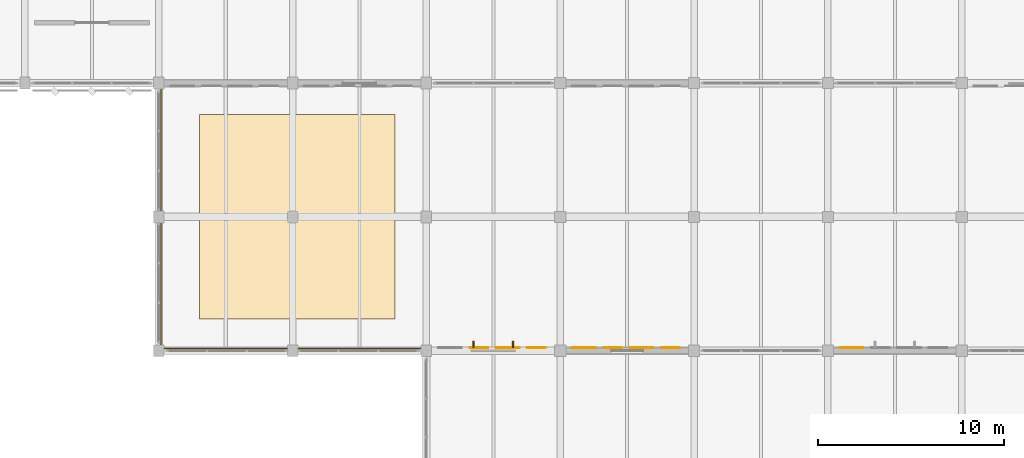
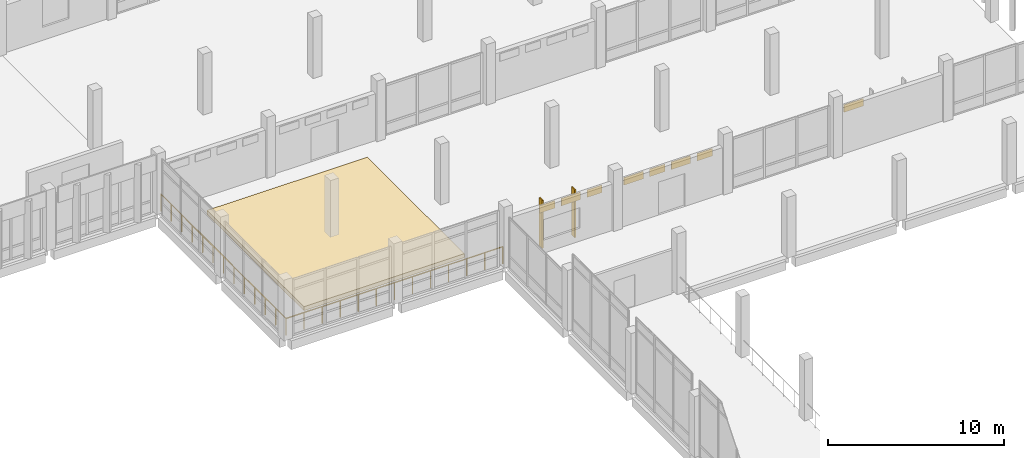
# One storey, part 154 of 158: 11 coverings, 1 railing.
"""IFC4 building model written with IfcOpenShell, lengths in metres."""

from ifc_helpers import new_model, si_unit, direction, frame, origin, origin_2d, place, context, subcontext, project, spatial, polyline, rectangle, circle, outline, extrude, material, layer, layer_set, type_object, element, save


model = new_model("IFC4")

# Units and contexts
model_context = context("Model", 3, precision=1e-05, world=origin(), true_north=direction((0.0, 1.0)))
body_context = subcontext(model_context, "Body", "Model", "MODEL_VIEW")
ifc_project = project(units=[si_unit("LENGTHUNIT", "METRE"), si_unit("AREAUNIT", "SQUARE_METRE"), si_unit("VOLUMEUNIT", "CUBIC_METRE"), si_unit("PLANEANGLEUNIT", "RADIAN"), si_unit("MASSUNIT", "GRAM", prefix="KILO")], contexts=[model_context])

# Site, building, storey
site_placement = place(None, origin())
site = spatial("IfcSite", under=ifc_project, at=site_placement, CompositionType="ELEMENT")
building_placement = place(site_placement, origin())
building = spatial("IfcBuilding", under=site, at=building_placement, Name="Lusvemor Sports Hall", CompositionType="ELEMENT")
storey_placement = place(building_placement, frame((0.0, 0.0, 10.800048828125)))
storey = spatial("IfcBuildingStorey", under=building, at=storey_placement, Name="L02", CompositionType="ELEMENT", Elevation=10.800048828125)

# Coverings
ifc_material_1 = material(Name="Emerald polychrome glazed ceramic cladding on Concrete C40/50 backing", Category="concrete")
ifc_layer_1 = layer(ifc_material_1, 0.0458984375)
ifc_layer_set_1 = layer_set([ifc_layer_1], Name="Emerald polychrome glazed ceramic cladding on Concrete C40/50 backing")
covering_type_1 = type_object("IfcCoveringType", Name="CLAD_WAVE_EMERALD", PredefinedType="CLADDING", material=ifc_layer_set_1)
for number, where, z_axis, x_axis, name in (
    (1, (137.574951171875, 82.965576171875, 2.61474609375), (0.0, 0.0, 1.0), (1.0, 0.0, 0.0), "Art Nouveau Patterned Cladding PS-EW-L02-N-4-0-3"),
    (2, (141.675048828125, 82.965576171875, 2.61474609375), (0.0, 0.0, 1.0), (1.0, 0.0, 0.0), "Art Nouveau Patterned Cladding PS-EW-L02-N-4-1-1"),
    (3, (144.77490234375, 82.965576171875, 2.61474609375), (0.0, 0.0, 1.0), (1.0, 0.0, 0.0), "Art Nouveau Patterned Cladding PS-EW-L02-N-4-1-3"),
    (4, (156.074951171875, 82.965576171875, 2.61474609375), (0.0, 0.0, 1.0), (1.0, 0.0, 0.0), "Art Nouveau Patterned Cladding PS-EW-L02-N-4-3-1"),
):
    element("IfcCovering", number, at=place(storey_placement, frame(where, z_axis=z_axis, x_axis=x_axis)), inside=storey, type_object=covering_type_1, Name=name, PredefinedType="CLADDING", context=body_context, shape_type="SweptSolid", body=[
        extrude(rectangle(XDim=1.27099609375, YDim=0.0458984375, at=origin_2d()), origin(), (0.0, 0.0, 1.0), 0.510009765625),
    ])
ifc_material_2 = material(Name="Warm terracotta Art Nouveau ceramic cladding on Concrete C40/50 backing", Category="masonry")
ifc_layer_2 = layer(ifc_material_2, 0.0380859375)
ifc_layer_set_2 = layer_set([ifc_layer_2], Name="Warm terracotta Art Nouveau ceramic cladding on Concrete C40/50 backing")
covering_type_2 = type_object("IfcCoveringType", Name="CLAD_WAVE_OCHRE", PredefinedType="CLADDING", material=ifc_layer_set_2)
for number, where, z_axis, x_axis, name in (
    (5, (136.02490234375, 82.96142578125, 2.61474609375), (0.0, 0.0, 1.0), (1.0, 0.0, 0.0), "Art Nouveau Patterned Cladding PS-EW-L02-N-4-0-2"),
    (6, (139.125, 82.96142578125, 2.61474609375), (0.0, 0.0, 1.0), (1.0, 0.0, 0.0), "Art Nouveau Patterned Cladding PS-EW-L02-N-4-0-4"),
    (7, (143.22509765625, 82.96142578125, 2.61474609375), (0.0, 0.0, 1.0), (1.0, 0.0, 0.0), "Art Nouveau Patterned Cladding PS-EW-L02-N-4-1-2"),
    (8, (146.324951171875, 82.96142578125, 2.61474609375), (0.0, 0.0, 1.0), (1.0, 0.0, 0.0), "Art Nouveau Patterned Cladding PS-EW-L02-N-4-1-4"),
):
    element("IfcCovering", number, at=place(storey_placement, frame(where, z_axis=z_axis, x_axis=x_axis)), inside=storey, type_object=covering_type_2, Name=name, PredefinedType="CLADDING", context=body_context, shape_type="SweptSolid", body=[
        extrude(rectangle(XDim=0.991943359375, YDim=0.0380859375, at=origin_2d()), origin(), (0.0, 0.0, 1.0), 0.510009765625),
    ])
ifc_material_3 = material(Name="Planted coastal botanical green roof garden bed")
ifc_layer_3 = layer(ifc_material_3, 0.280029296875)
ifc_layer_set_3 = layer_set([ifc_layer_3], Name="Planted coastal botanical green roof garden bed")
covering_type_3 = type_object("IfcCoveringType", Name="COV_GARDEN_BED", PredefinedType="ROOFING", material=ifc_layer_set_3)
covering_placement = place(storey_placement, origin())
element("IfcCovering", 9, at=covering_placement, inside=storey, type_object=covering_type_3, Name="Planted Coastal Roof Garden Bed 3", PredefinedType="ROOFING", context=body_context, shape_type="SweptSolid", body=[
    extrude(outline(polyline([(121.0, 84.5), (131.5, 84.5), (131.5, 95.5), (121.0, 95.5), (121.0, 84.5)])), origin(), (0.0, 0.0, 1.0), 0.280029296875),
])
ifc_material_4 = material(Name="Emerald polychrome glazed ceramic cladding on Concrete C40/50 backing", Category="concrete")
ifc_layer_4 = layer(ifc_material_4, 0.35009765625)
ifc_layer_set_4 = layer_set([ifc_layer_4], Name="Emerald polychrome glazed ceramic cladding on Concrete C40/50 backing")
covering_type_4 = type_object("IfcCoveringType", Name="FIN_BRISE_CER_350", PredefinedType="MOLDING", material=ifc_layer_set_4)
for number, where, z_axis, x_axis, name in (
    (10, (135.739990234375, 83.12744140625, 0.10009765625), (0.0, 0.0, 1.0), (1.0, 0.0, 0.0), "Wing Brise-Soleil Fin L02-N-4-0-1"),
    (11, (137.860107421875, 83.12744140625, 0.10009765625), (0.0, 0.0, 1.0), (1.0, 0.0, 0.0), "Wing Brise-Soleil Fin L02-N-4-0-2"),
):
    element("IfcCovering", number, at=place(storey_placement, frame(where, z_axis=z_axis, x_axis=x_axis)), inside=storey, type_object=covering_type_4, Name=name, PredefinedType="MOLDING", context=body_context, shape_type="SweptSolid", body=[
        extrude(rectangle(XDim=0.080078125, YDim=0.35009765625, at=origin_2d()), origin(), (0.0, 0.0, 1.0), 3.320068359375),
    ])

# Railing
ifc_material_5 = material(Name="Bronze-finished wrought-steel Art Nouveau balustrade", Category="steel")
railing_type = type_object("IfcRailingType", Name="RAIL_TERR_GUARD_118", PredefinedType="GUARDRAIL", material=ifc_material_5)
railing_placement = place(storey_placement, frame((118.919921875, 97.10009765625, 0.0)))
element("IfcRailing", 12, at=railing_placement, inside=storey, type_object=railing_type, Name="East Athlete Stretching Terrace Guard", PredefinedType="GUARDRAIL", context=body_context, shape_type="SweptSolid", body=[
    extrude(circle(Radius=0.02392578125, at=origin_2d()), frame((0.0, 0.0, 1.15576171875), z_axis=(0.0, -1.0, 0.0), x_axis=(1.0, 0.0, 0.0)), (0.0, 0.0, 1.0), 14.18017578125),
    extrude(circle(Radius=0.02392578125, at=origin_2d()), frame((0.0, -14.18017578125, 1.15576171875), z_axis=(1.0, 0.0, 0.0), x_axis=(0.0, 1.0, 0.0)), (0.0, 0.0, 1.0), 14.18017578125),
    extrude(circle(Radius=0.02099609375, at=origin_2d()), origin(), (0.0, 0.0, 1.0), 1.1318359375),
    extrude(circle(Radius=0.02099609375, at=origin_2d()), frame((0.0, -1.181640625, 0.0)), (0.0, 0.0, 1.0), 1.1318359375),
    extrude(circle(Radius=0.02099609375, at=origin_2d()), frame((0.0, -2.36328125, 0.0)), (0.0, 0.0, 1.0), 1.1318359375),
    extrude(circle(Radius=0.02099609375, at=origin_2d()), frame((0.0, -3.544921875, 0.0)), (0.0, 0.0, 1.0), 1.1318359375),
    extrude(circle(Radius=0.02099609375, at=origin_2d()), frame((0.0, -4.726806640625, 0.0)), (0.0, 0.0, 1.0), 1.1318359375),
    extrude(circle(Radius=0.02099609375, at=origin_2d()), frame((0.0, -5.908447265625, 0.0)), (0.0, 0.0, 1.0), 1.1318359375),
    extrude(circle(Radius=0.02099609375, at=origin_2d()), frame((0.0, -7.090087890625, 0.0)), (0.0, 0.0, 1.0), 1.1318359375),
    extrude(circle(Radius=0.02099609375, at=origin_2d()), frame((0.0, -8.271728515625, 0.0)), (0.0, 0.0, 1.0), 1.1318359375),
    extrude(circle(Radius=0.02099609375, at=origin_2d()), frame((0.0, -9.453369140625, 0.0)), (0.0, 0.0, 1.0), 1.1318359375),
    extrude(circle(Radius=0.02099609375, at=origin_2d()), frame((0.0, -10.63525390625, 0.0)), (0.0, 0.0, 1.0), 1.1318359375),
    extrude(circle(Radius=0.02099609375, at=origin_2d()), frame((0.0, -11.81689453125, 0.0)), (0.0, 0.0, 1.0), 1.1318359375),
    extrude(circle(Radius=0.02099609375, at=origin_2d()), frame((0.0, -12.99853515625, 0.0)), (0.0, 0.0, 1.0), 1.1318359375),
    extrude(circle(Radius=0.02099609375, at=origin_2d()), frame((0.0, -14.18017578125, 0.0)), (0.0, 0.0, 1.0), 1.1318359375),
    extrude(circle(Radius=0.02099609375, at=origin_2d()), frame((1.181640625, -14.18017578125, 0.0)), (0.0, 0.0, 1.0), 1.1318359375),
    extrude(circle(Radius=0.02099609375, at=origin_2d()), frame((2.36328125, -14.18017578125, 0.0)), (0.0, 0.0, 1.0), 1.1318359375),
    extrude(circle(Radius=0.02099609375, at=origin_2d()), frame((3.544921875, -14.18017578125, 0.0)), (0.0, 0.0, 1.0), 1.1318359375),
    extrude(circle(Radius=0.02099609375, at=origin_2d()), frame((4.726806640625, -14.18017578125, 0.0)), (0.0, 0.0, 1.0), 1.1318359375),
    extrude(circle(Radius=0.02099609375, at=origin_2d()), frame((5.908447265625, -14.18017578125, 0.0)), (0.0, 0.0, 1.0), 1.1318359375),
    extrude(circle(Radius=0.02099609375, at=origin_2d()), frame((7.090087890625, -14.18017578125, 0.0)), (0.0, 0.0, 1.0), 1.1318359375),
    extrude(circle(Radius=0.02099609375, at=origin_2d()), frame((8.271728515625, -14.18017578125, 0.0)), (0.0, 0.0, 1.0), 1.1318359375),
    extrude(circle(Radius=0.02099609375, at=origin_2d()), frame((9.453369140625, -14.18017578125, 0.0)), (0.0, 0.0, 1.0), 1.1318359375),
    extrude(circle(Radius=0.02099609375, at=origin_2d()), frame((10.63525390625, -14.18017578125, 0.0)), (0.0, 0.0, 1.0), 1.1318359375),
    extrude(circle(Radius=0.02099609375, at=origin_2d()), frame((11.81689453125, -14.18017578125, 0.0)), (0.0, 0.0, 1.0), 1.1318359375),
    extrude(circle(Radius=0.02099609375, at=origin_2d()), frame((12.99853515625, -14.18017578125, 0.0)), (0.0, 0.0, 1.0), 1.1318359375),
    extrude(circle(Radius=0.02099609375, at=origin_2d()), frame((14.18017578125, -14.18017578125, 0.0)), (0.0, 0.0, 1.0), 1.1318359375),
])

save(model, "model.ifc")
